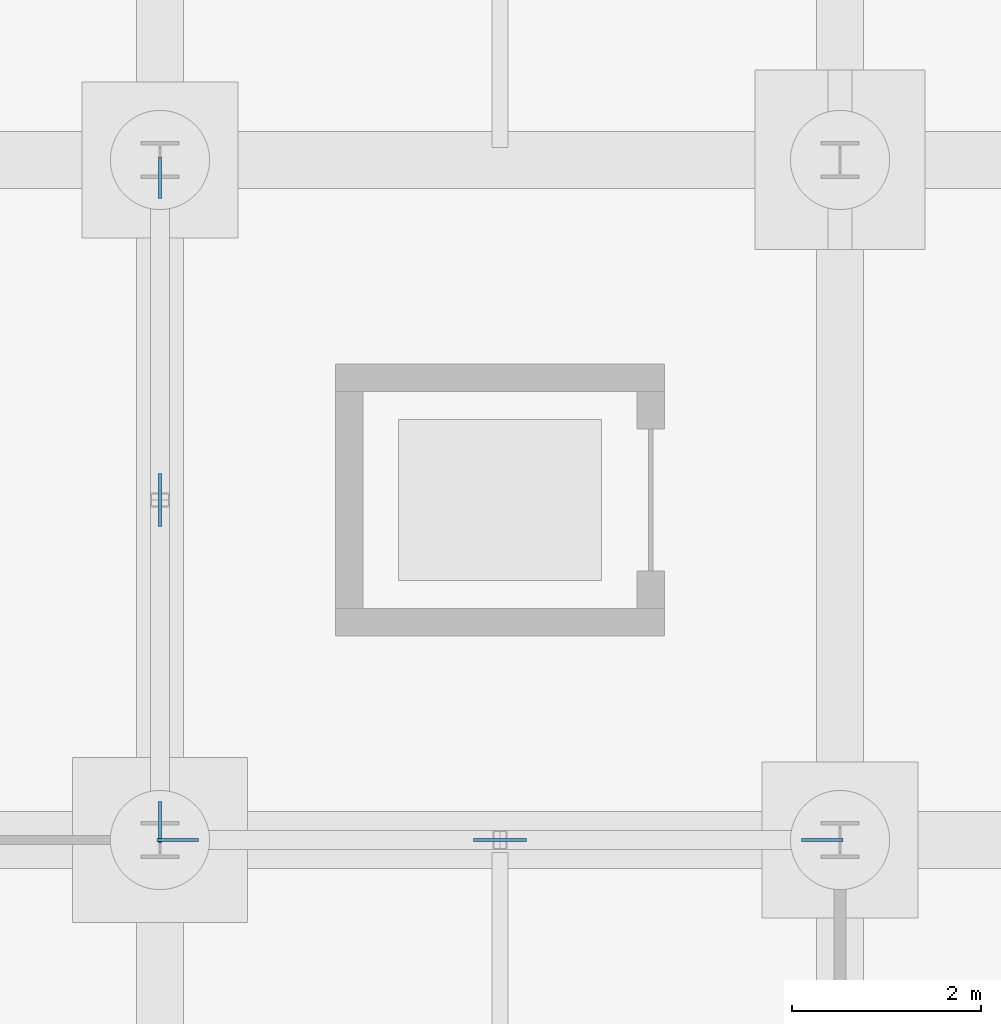
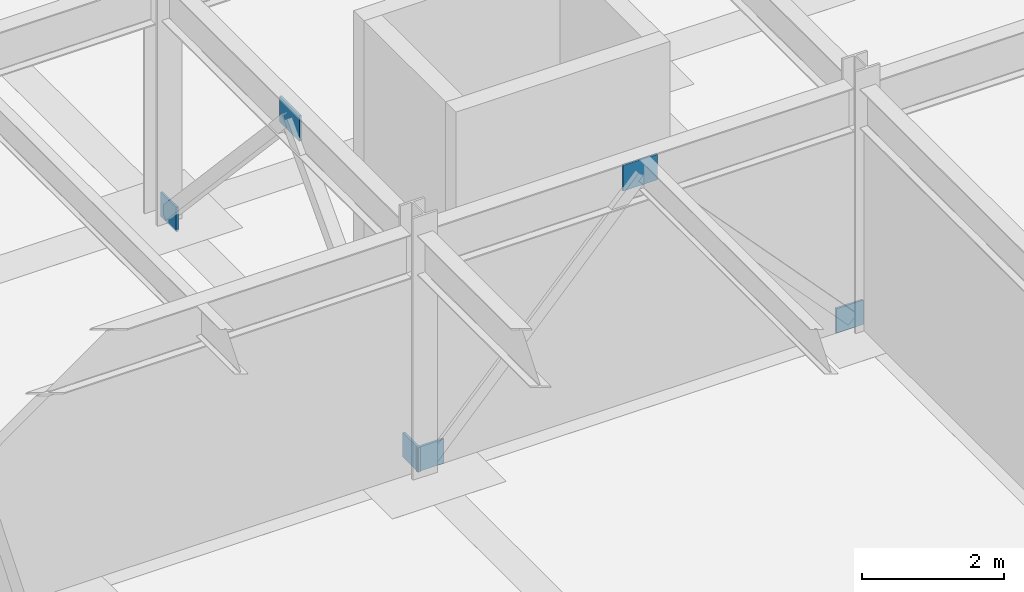
# One storey, part 41 of 54: 6 plates.
"""IFC4 building model written with IfcOpenShell, lengths in metres."""

from ifc_helpers import new_model, si_unit, direction, frame, origin, origin_2d, place, context, subcontext, project, spatial, rectangle, extrude, material, layer, layer_set, type_object, element, save


model = new_model("IFC4")

# Units and contexts
model_context = context("Model", 3, precision=1e-05, world=origin(), true_north=direction((0.0, 1.0)))
body_context = subcontext(model_context, "Body", "Model", "MODEL_VIEW")
ifc_project = project(units=[si_unit("LENGTHUNIT", "METRE"), si_unit("AREAUNIT", "SQUARE_METRE"), si_unit("VOLUMEUNIT", "CUBIC_METRE"), si_unit("PLANEANGLEUNIT", "RADIAN"), si_unit("MASSUNIT", "GRAM", prefix="KILO")], contexts=[model_context])

# Site, building, storey
site_placement = place(None, origin())
site = spatial("IfcSite", under=ifc_project, at=site_placement, CompositionType="ELEMENT")
building_placement = place(site_placement, origin())
building = spatial("IfcBuilding", under=site, at=building_placement, Name="Vaelcorin Mobility Hub", CompositionType="ELEMENT")
storey_placement = place(building_placement, frame((0.0, 0.0, -4.5)))
storey = spatial("IfcBuildingStorey", under=building, at=storey_placement, Name="B1", CompositionType="ELEMENT", Elevation=-4.5)

# Plates
ifc_material = material(Name="Steel ASTM A572 Grade 50", Category="steel")
ifc_layer = layer(ifc_material, 0.034912109375)
ifc_layer_set = layer_set([ifc_layer], Name="Steel ASTM A572 Grade 50")
plate_type = type_object("IfcPlateType", Name="PL-GN1", PredefinedType="USERDEFINED", material=ifc_layer_set)
for number, where, z_axis, x_axis, name in (
    (1, (160.989990234375, 98.39990234375, -0.030029296875), (0.0, 0.0, 1.0), (1.0, 0.0, 0.0), "SCBF Gusset Plate GN1 V5-BX2-B1-A"),
    (2, (167.81005859375, 98.39990234375, -0.030029296875), (0.0, 0.0, 1.0), (1.0, 0.0, 0.0), "SCBF Gusset Plate GN1 V5-BX2-B1-B"),
):
    element("IfcPlate", number, at=place(storey_placement, frame(where, z_axis=z_axis, x_axis=x_axis)), inside=storey, type_object=plate_type, Name=name, ObjectType="GUSSET PLATE", PredefinedType="USERDEFINED", context=body_context, shape_type="SweptSolid", body=[
        extrude(rectangle(XDim=0.43994140625, YDim=0.034912109375, at=origin_2d()), origin(), (0.0, 0.0, 1.0), 0.419921875),
    ])
plate_1_placement = place(storey_placement, frame((164.39990234375, 98.39990234375, 3.630126953125), z_axis=(0.0, 0.0, 1.0), x_axis=(1.0, 0.0, 0.0)))
element("IfcPlate", 3, at=plate_1_placement, inside=storey, type_object=plate_type, Name="SCBF Apex Gusset GN1 V5-BX2-B1", ObjectType="GUSSET PLATE", PredefinedType="USERDEFINED", context=body_context, shape_type="SweptSolid", body=[
    extrude(rectangle(XDim=0.56005859375, YDim=0.034912109375, at=origin_2d()), origin(), (0.0, 0.0, 1.0), 0.43994140625),
])
for number, where, z_axis, x_axis, name in (
    (4, (160.800048828125, 98.590087890625, -0.030029296875), (0.0, 0.0, 1.0), (0.0, 1.0, 0.0), "SCBF Gusset Plate GN1 V5-BY2-B1-A"),
    (5, (160.800048828125, 105.409912109375, -0.030029296875), (0.0, 0.0, 1.0), (0.0, 1.0, 0.0), "SCBF Gusset Plate GN1 V5-BY2-B1-B"),
):
    element("IfcPlate", number, at=place(storey_placement, frame(where, z_axis=z_axis, x_axis=x_axis)), inside=storey, type_object=plate_type, Name=name, ObjectType="GUSSET PLATE", PredefinedType="USERDEFINED", context=body_context, shape_type="SweptSolid", body=[
        extrude(rectangle(XDim=0.43994140625, YDim=0.034912109375, at=origin_2d()), origin(), (0.0, 0.0, 1.0), 0.419921875),
    ])
plate_2_placement = place(storey_placement, frame((160.800048828125, 102.0, 3.630126953125), z_axis=(0.0, 0.0, 1.0), x_axis=(0.0, 1.0, 0.0)))
element("IfcPlate", 6, at=plate_2_placement, inside=storey, type_object=plate_type, Name="SCBF Apex Gusset GN1 V5-BY2-B1", ObjectType="GUSSET PLATE", PredefinedType="USERDEFINED", context=body_context, shape_type="SweptSolid", body=[
    extrude(rectangle(XDim=0.56005859375, YDim=0.034912109375, at=origin_2d()), origin(), (0.0, 0.0, 1.0), 0.43994140625),
])

save(model, "model.ifc")
